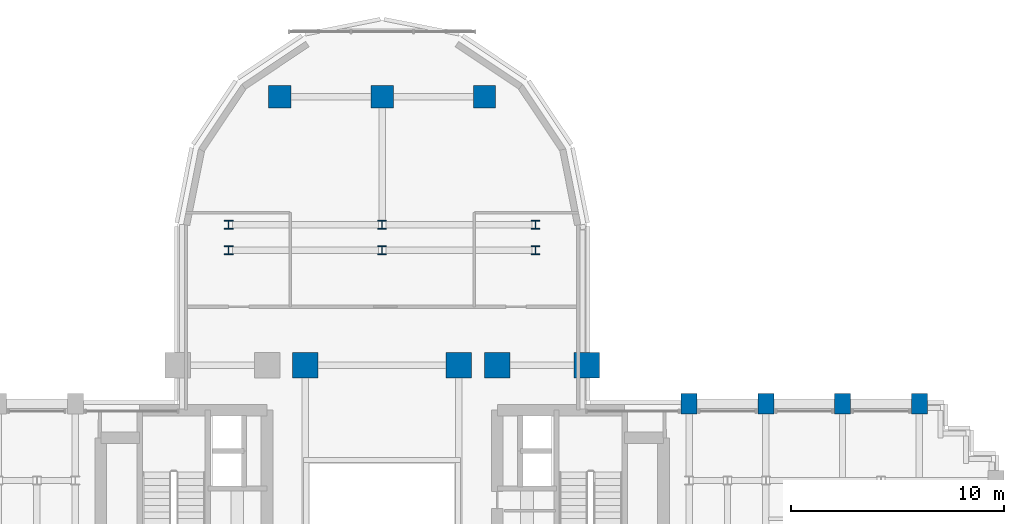
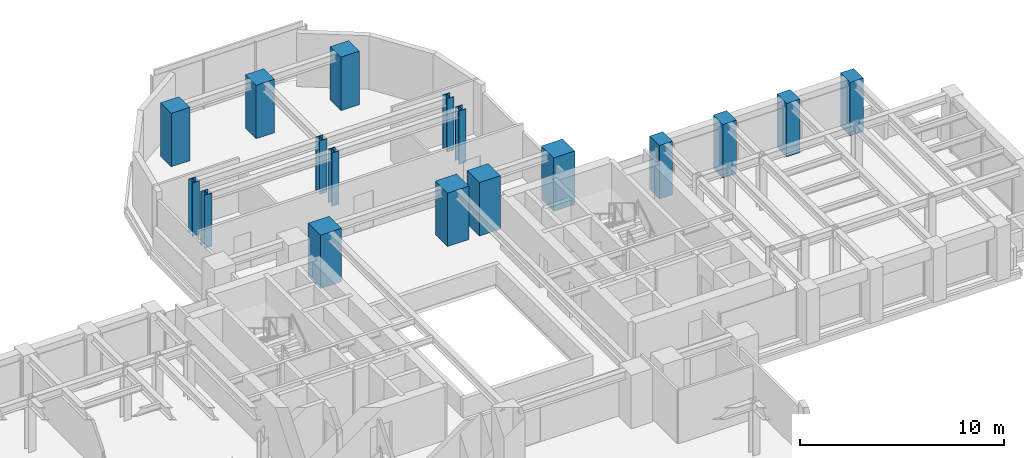
# One storey, part 2 of 16: 17 columns.
"""IFC4 building model written with IfcOpenShell, lengths in metres."""

from ifc_helpers import new_model, si_unit, direction, frame, origin, origin_2d, place, context, subcontext, project, spatial, rectangle, i_section, extrude, source, transform, mapped, material, material_profile, profile_set, type_object, element, save


model = new_model("IFC4")

# Units and contexts
model_context = context("Model", 3, precision=1e-05, world=origin(), true_north=direction((0.0, 1.0)))
body_context = subcontext(model_context, "Body", "Model", "MODEL_VIEW")
ifc_project = project(units=[si_unit("LENGTHUNIT", "METRE"), si_unit("AREAUNIT", "SQUARE_METRE"), si_unit("VOLUMEUNIT", "CUBIC_METRE"), si_unit("PLANEANGLEUNIT", "RADIAN"), si_unit("MASSUNIT", "GRAM", prefix="KILO")], contexts=[model_context])

# Site, building, storey
site_placement = place(None, origin())
site = spatial("IfcSite", under=ifc_project, at=site_placement, CompositionType="ELEMENT")
building_placement = place(site_placement, origin())
building = spatial("IfcBuilding", under=site, at=building_placement, Name="Keilestroom Media Tower", CompositionType="ELEMENT")
storey_placement = place(building_placement, frame((0.0, 0.0, 68.0)))
storey = spatial("IfcBuildingStorey", under=building, at=storey_placement, Name="L17", CompositionType="ELEMENT", Elevation=68.0)

# Columns
ifc_material_1 = material(Name="Precast concrete C40/50", Category="concrete")
ifc_material_profile_1 = material_profile(ifc_material_1, rectangle(XDim=0.75, YDim=0.949951171875, at=origin_2d()), Name="PC 950x750")
ifc_profile_set_1 = profile_set([ifc_material_profile_1], Name="Precast concrete C40/50")
column_type_1 = type_object("IfcColumnType", Name="Structural-Column-PC-950x750", PredefinedType="COLUMN", material=ifc_profile_set_1)
shared_shape_1 = source(origin(), body_context, "Body", "SweptSolid", [
    extrude(rectangle(XDim=0.75, YDim=0.949951171875, at=origin_2d()), origin(), (0.0, 0.0, 1.0), 3.199951171875),
])
for number, where, z_axis, x_axis, name in (
    (1, (14.39990234375, 7.199951171875, 0.0), (0.0, 0.0, 1.0), (1.0, 0.0, 0.0), "L17 Column PC-1 (+14.4,+7.2)"),
    (2, (18.0, 7.199951171875, 0.0), (0.0, 0.0, 1.0), (1.0, 0.0, 0.0), "L17 Column PC-1 (+18.0,+7.2)"),
    (3, (21.60009765625, 7.199951171875, 0.0), (0.0, 0.0, 1.0), (1.0, 0.0, 0.0), "L17 Column PC-1 (+21.6,+7.2)"),
    (4, (25.199951171875, 7.199951171875, 0.0), (0.0, 0.0, 1.0), (1.0, 0.0, 0.0), "L17 Column PC-1 (+25.2,+7.2)"),
):
    element("IfcColumn", number, at=place(storey_placement, frame(where, z_axis=z_axis, x_axis=x_axis)), inside=storey, type_object=column_type_1, Name=name, PredefinedType="COLUMN", context=body_context, shape_type="MappedRepresentation", body=[
        mapped(shared_shape_1, transform((0.0, 0.0, 0.0), x_axis=(1.0, 0.0, 0.0), y_axis=(0.0, 1.0, 0.0), z_axis=(0.0, 0.0, 1.0), scale=1.0)),
    ])
ifc_material_2 = material(Name="Steel S460", Category="steel")
ifc_material_profile_2 = material_profile(ifc_material_2, i_section(OverallWidth=0.404052734375, OverallDepth=0.406982421875, WebThickness=0.02197265625, FlangeThickness=0.035400390625, at=origin_2d()), Name="HD 400x347")
ifc_profile_set_2 = profile_set([ifc_material_profile_2], Name="Steel S460")
column_type_2 = type_object("IfcColumnType", Name="Structural-Column-HD-400x347", PredefinedType="COLUMN", material=ifc_profile_set_2)
shared_shape_2 = source(origin(), body_context, "Body", "SweptSolid", [
    extrude(i_section(OverallWidth=0.404052734375, OverallDepth=0.406982421875, WebThickness=0.02197265625, FlangeThickness=0.035400390625, at=origin_2d()), origin(), (0.0, 0.0, 1.0), 3.199951171875),
])
for number, where, z_axis, x_axis, name in (
    (5, (-7.199951171875, 14.39990234375, 0.0), (0.0, 0.0, 1.0), (1.0, 0.0, 0.0), "L17 Column SC-2 (-7.2,+14.4)"),
    (6, (-7.199951171875, 15.60009765625, 0.0), (0.0, 0.0, 1.0), (1.0, 0.0, 0.0), "L17 Column SC-2 (-7.2,+15.6)"),
    (7, (0.0, 14.39990234375, 0.0), (0.0, 0.0, 1.0), (1.0, 0.0, 0.0), "L17 Column SC-2 (+0.0,+14.4)"),
    (8, (0.0, 15.60009765625, 0.0), (0.0, 0.0, 1.0), (1.0, 0.0, 0.0), "L17 Column SC-2 (+0.0,+15.6)"),
    (9, (7.199951171875, 14.39990234375, 0.0), (0.0, 0.0, 1.0), (1.0, 0.0, 0.0), "L17 Column SC-2 (+7.2,+14.4)"),
    (10, (7.199951171875, 15.60009765625, 0.0), (0.0, 0.0, 1.0), (1.0, 0.0, 0.0), "L17 Column SC-2 (+7.2,+15.6)"),
):
    element("IfcColumn", number, at=place(storey_placement, frame(where, z_axis=z_axis, x_axis=x_axis)), inside=storey, type_object=column_type_2, Name=name, PredefinedType="COLUMN", context=body_context, shape_type="MappedRepresentation", body=[
        mapped(shared_shape_2, transform((0.0, 0.0, 0.0), x_axis=(1.0, 0.0, 0.0), y_axis=(0.0, 1.0, 0.0), z_axis=(0.0, 0.0, 1.0), scale=1.0)),
    ])
ifc_material_3 = material(Name="Concrete C70/85", Category="concrete")
ifc_material_profile_3 = material_profile(ifc_material_3, rectangle(XDim=1.199951171875, YDim=1.199951171875, at=origin_2d()), Name="RC 1200x1200")
ifc_profile_set_3 = profile_set([ifc_material_profile_3], Name="Concrete C70/85")
column_type_3 = type_object("IfcColumnType", Name="Structural-Column-RC-1200x1200", PredefinedType="COLUMN", material=ifc_profile_set_3)
shared_shape_3 = source(origin(), body_context, "Body", "SweptSolid", [
    extrude(rectangle(XDim=1.199951171875, YDim=1.199951171875, at=origin_2d()), origin(), (0.0, 0.0, 1.0), 3.199951171875),
])
for number, where, z_axis, x_axis, name in (
    (11, (-3.60009765625, 9.0, 0.0), (0.0, 0.0, 1.0), (1.0, 0.0, 0.0), "L17 Column MC-2 (-3.6,+9.0)"),
    (12, (3.60009765625, 9.0, 0.0), (0.0, 0.0, 1.0), (1.0, 0.0, 0.0), "L17 Column MC-2 (+3.6,+9.0)"),
    (13, (5.39990234375, 9.0, 0.0), (0.0, 0.0, 1.0), (1.0, 0.0, 0.0), "L17 Column MC-2 (+5.4,+9.0)"),
    (14, (9.60009765625, 9.0, 0.0), (0.0, 0.0, 1.0), (1.0, 0.0, 0.0), "L17 Column MC-2 (+9.6,+9.0)"),
):
    element("IfcColumn", number, at=place(storey_placement, frame(where, z_axis=z_axis, x_axis=x_axis)), inside=storey, type_object=column_type_3, Name=name, PredefinedType="COLUMN", context=body_context, shape_type="MappedRepresentation", body=[
        mapped(shared_shape_3, transform((0.0, 0.0, 0.0), x_axis=(1.0, 0.0, 0.0), y_axis=(0.0, 1.0, 0.0), z_axis=(0.0, 0.0, 1.0), scale=1.0)),
    ])
ifc_material_4 = material(Name="Concrete C55/67", Category="concrete")
ifc_material_profile_4 = material_profile(ifc_material_4, rectangle(XDim=1.050048828125, YDim=1.050048828125, at=origin_2d()), Name="RC 1050x1050")
ifc_profile_set_4 = profile_set([ifc_material_profile_4], Name="Concrete C55/67")
column_type_4 = type_object("IfcColumnType", Name="Structural-Column-RC-1050x1050", PredefinedType="COLUMN", material=ifc_profile_set_4)
shared_shape_4 = source(origin(), body_context, "Body", "SweptSolid", [
    extrude(rectangle(XDim=1.050048828125, YDim=1.050048828125, at=origin_2d()), origin(), (0.0, 0.0, 1.0), 3.199951171875),
])
for number, where, z_axis, x_axis, name in (
    (15, (-4.800048828125, 21.60009765625, 0.0), (0.0, 0.0, 1.0), (1.0, 0.0, 0.0), "L17 Column MC-3 (-4.8,+21.6)"),
    (16, (0.0, 21.60009765625, 0.0), (0.0, 0.0, 1.0), (1.0, 0.0, 0.0), "L17 Column MC-3 (+0.0,+21.6)"),
    (17, (4.800048828125, 21.60009765625, 0.0), (0.0, 0.0, 1.0), (1.0, 0.0, 0.0), "L17 Column MC-3 (+4.8,+21.6)"),
):
    element("IfcColumn", number, at=place(storey_placement, frame(where, z_axis=z_axis, x_axis=x_axis)), inside=storey, type_object=column_type_4, Name=name, PredefinedType="COLUMN", context=body_context, shape_type="MappedRepresentation", body=[
        mapped(shared_shape_4, transform((0.0, 0.0, 0.0), x_axis=(1.0, 0.0, 0.0), y_axis=(0.0, 1.0, 0.0), z_axis=(0.0, 0.0, 1.0), scale=1.0)),
    ])

save(model, "model.ifc")
